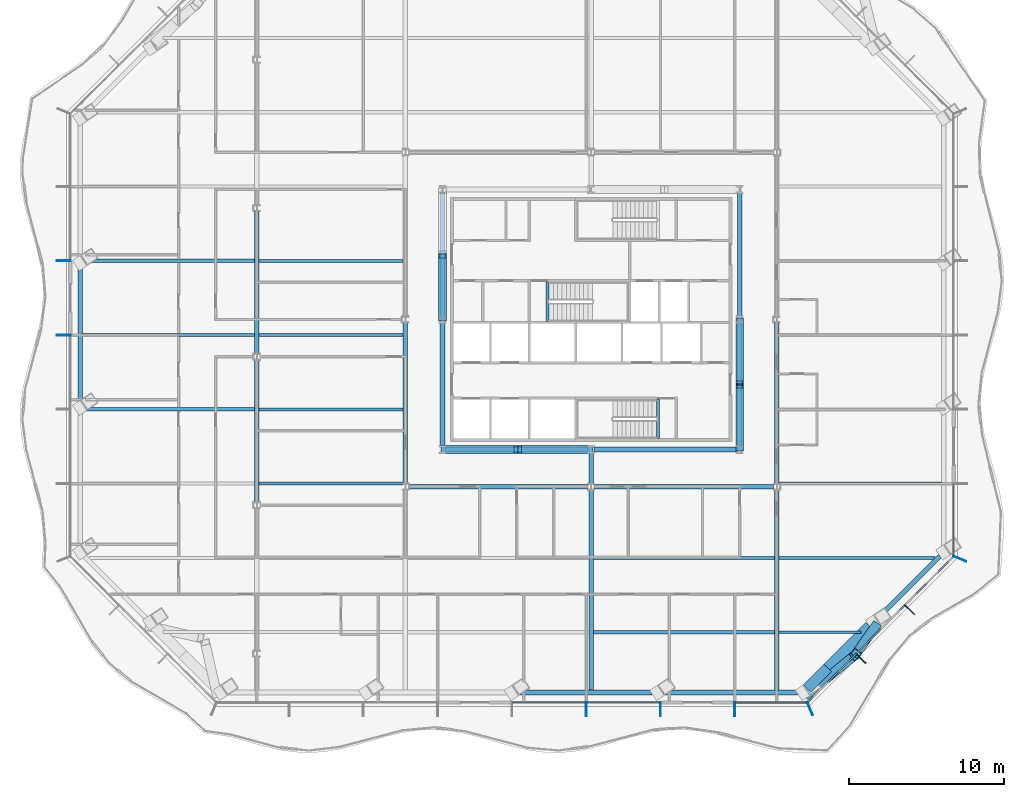
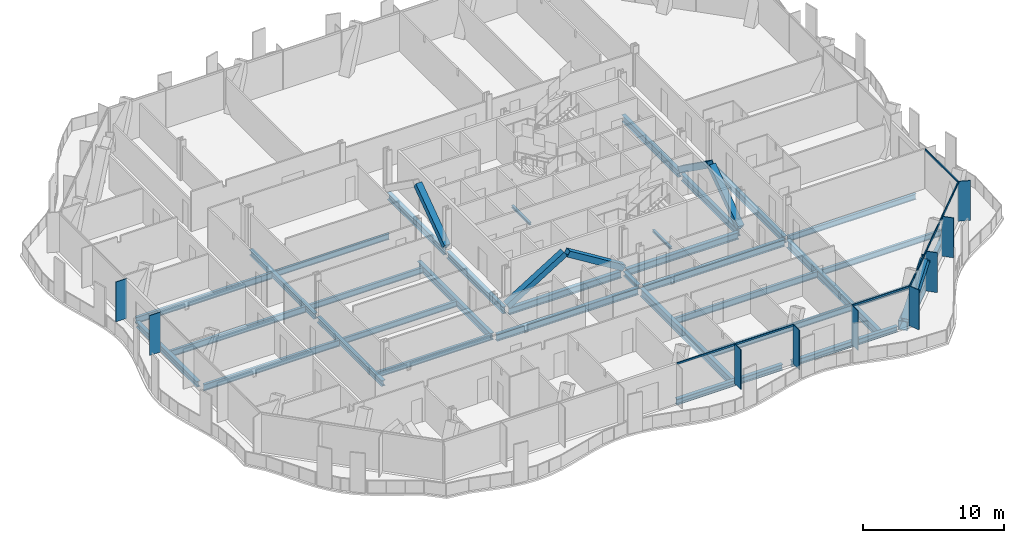
# One storey, part 2 of 19: 35 beams, 23 members, 4 elements without a shape of their own.
"""IFC4 building model written with IfcOpenShell, lengths in metres."""

from ifc_helpers import new_model, si_unit, direction, frame, origin, origin_2d, place, context, subcontext, project, spatial, rectangle, hollow_rectangle, i_section, extrude, material, material_profile, profile_set, type_object, element, aggregate, save


model = new_model("IFC4")

# Units and contexts
model_context = context("Model", 3, precision=1e-05, world=origin(), true_north=direction((0.0, 1.0)))
body_context = subcontext(model_context, "Body", "Model", "MODEL_VIEW")
ifc_project = project(units=[si_unit("LENGTHUNIT", "METRE"), si_unit("AREAUNIT", "SQUARE_METRE"), si_unit("VOLUMEUNIT", "CUBIC_METRE"), si_unit("PLANEANGLEUNIT", "RADIAN"), si_unit("MASSUNIT", "GRAM", prefix="KILO")], contexts=[model_context])

# Site, building, storey
site_placement = place(None, origin())
site = spatial("IfcSite", under=ifc_project, at=site_placement, CompositionType="ELEMENT")
building_placement = place(site_placement, origin())
building = spatial("IfcBuilding", under=site, at=building_placement, Name="Cairn Pilgrim Tower", CompositionType="ELEMENT")
storey_placement = place(building_placement, frame((0.0, 0.0, 97.800048828125)))
storey = spatial("IfcBuildingStorey", under=building, at=storey_placement, Name="L23", CompositionType="ELEMENT", Elevation=97.800048828125)

# Members
ifc_material_1 = material(Name="Structural steel S460M", Category="steel")
ifc_material_profile_1 = material_profile(ifc_material_1, hollow_rectangle(XDim=0.5, YDim=0.5, WallThickness=0.030029296875, at=origin_2d()), Name="BOX 500x500x30")
ifc_profile_set_1 = profile_set([ifc_material_profile_1], Name="Structural steel S460M")
member_type_1 = type_object("IfcMemberType", Name="BOX 500x500x30 BRACE", PredefinedType="BRACE", material=ifc_profile_set_1)
member_1_placement = place(storey_placement, frame((-2.356201171875, -6.0, 0.099853515625), z_axis=(0.850990224345, 0.0, 0.525181528683), x_axis=(0.0, 1.0, 0.0)))
element("IfcMember", 1, at=member_1_placement, inside=storey, type_object=member_type_1, Name="KB-1A", PredefinedType="BRACE", context=body_context, shape_type="SweptSolid", body=[
    extrude(hollow_rectangle(XDim=0.5, YDim=0.5, WallThickness=0.030029296875, at=origin_2d()), origin(), (0.0, 0.0, 1.0), 5.5263671875),
])
member_2_placement = place(storey_placement, frame((7.15625, -6.0, 0.099853515625), z_axis=(-0.851007515624, 0.0, 0.525153509321), x_axis=(0.0, -1.0, 0.0)))
element("IfcMember", 2, at=member_2_placement, inside=storey, type_object=member_type_1, Name="KB-1B", PredefinedType="BRACE", context=body_context, shape_type="SweptSolid", body=[
    extrude(hollow_rectangle(XDim=0.5, YDim=0.5, WallThickness=0.030029296875, at=origin_2d()), origin(), (0.0, 0.0, 1.0), 5.37646484375),
])
member_3_placement = place(storey_placement, frame((16.800048828125, -5.956298828125, 0.099853515625), z_axis=(0.0, 0.814175628242, 0.580618675532), x_axis=(-1.0, 0.0, 0.0)))
element("IfcMember", 3, at=member_3_placement, inside=storey, type_object=member_type_1, Name="KB-2A", PredefinedType="BRACE", context=body_context, shape_type="SweptSolid", body=[
    extrude(hollow_rectangle(XDim=0.5, YDim=0.5, WallThickness=0.030029296875, at=origin_2d()), origin(), (0.0, 0.0, 1.0), 4.99658203125),
])
member_4_placement = place(storey_placement, frame((16.800048828125, 2.356201171875, 0.099853515625), z_axis=(0.0, -0.814159155237, 0.580641774198), x_axis=(1.0, 0.0, 0.0)))
element("IfcMember", 4, at=member_4_placement, inside=storey, type_object=member_type_1, Name="KB-2B", PredefinedType="BRACE", context=body_context, shape_type="SweptSolid", body=[
    extrude(hollow_rectangle(XDim=0.5, YDim=0.5, WallThickness=0.030029296875, at=origin_2d()), origin(), (0.0, 0.0, 1.0), 4.996337890625),
])
member_5_placement = place(storey_placement, frame((-2.39990234375, 2.443603515625, 0.099853515625), z_axis=(0.0, 0.814175628242, 0.580618675532), x_axis=(-1.0, 0.0, 0.0)))
element("IfcMember", 5, at=member_5_placement, inside=storey, type_object=member_type_1, Name="KB-4B", PredefinedType="BRACE", context=body_context, shape_type="SweptSolid", body=[
    extrude(hollow_rectangle(XDim=0.5, YDim=0.5, WallThickness=0.030029296875, at=origin_2d()), origin(), (0.0, 0.0, 1.0), 4.99658203125),
])
ifc_material_profile_2 = material_profile(ifc_material_1, hollow_rectangle(XDim=0.60009765625, YDim=0.60009765625, WallThickness=0.034912109375, at=origin_2d()), Name="BOX 600x600x35")
ifc_profile_set_2 = profile_set([ifc_material_profile_2], Name="Structural steel S460M")
member_type_2 = type_object("IfcMemberType", Name="BOX 600x600x35 BRACE", PredefinedType="BRACE", material=ifc_profile_set_2)
member_6_placement = place(storey_placement, frame((21.158203125, -21.83935546875, 0.14990234375), z_axis=(0.63825367639, 0.52456231678, 0.563441763086), x_axis=(-0.634943586757, 0.772558503698, 0.0)))
element("IfcMember", 6, at=member_6_placement, inside=storey, type_object=member_type_2, Name="XB-SE1-SE2-1", PredefinedType="BRACE", context=body_context, shape_type="SweptSolid", body=[
    extrude(hollow_rectangle(XDim=0.60009765625, YDim=0.60009765625, WallThickness=0.034912109375, at=origin_2d()), origin(), (0.0, 0.0, 1.0), 4.72216796875),
])
member_7_placement = place(storey_placement, frame((25.58154296875, -17.416259765625, 0.14990234375), z_axis=(-0.361777631041, -0.518095152768, 0.775044746035), x_axis=(0.819892296649, -0.572517791772, 0.0)))
element("IfcMember", 7, at=member_7_placement, inside=storey, type_object=member_type_2, Name="XB-SE1-SE2-2", PredefinedType="BRACE", context=body_context, shape_type="SweptSolid", body=[
    extrude(hollow_rectangle(XDim=0.60009765625, YDim=0.60009765625, WallThickness=0.034912109375, at=origin_2d()), origin(), (0.0, 0.0, 1.0), 3.432861328125),
])

# Beams
ifc_material_2 = material(Name="Structural steel S355J2", Category="steel")
ifc_material_profile_3 = material_profile(ifc_material_2, hollow_rectangle(XDim=0.699951171875, YDim=0.800048828125, WallThickness=0.0400390625, at=origin_2d()), Name="BOX 700x800x40")
ifc_profile_set_3 = profile_set([ifc_material_profile_3], Name="Structural steel S355J2")
beam_type_1 = type_object("IfcBeamType", Name="BOX 700x800x40 RING GIRDER", PredefinedType="SPANDREL", material=ifc_profile_set_3)
beam_1_placement = place(storey_placement, frame((21.168701171875, -21.4541015625, -0.550048828125), z_axis=(0.707106781187, 0.707106781187, 0.0), x_axis=(-0.707106781187, 0.707106781187, 0.0)))
element("IfcBeam", 8, at=beam_1_placement, inside=storey, type_object=beam_type_1, Name="RG1-SE1-SE2-1", PredefinedType="SPANDREL", context=body_context, shape_type="SweptSolid", body=[
    extrude(hollow_rectangle(XDim=0.699951171875, YDim=0.800048828125, WallThickness=0.0400390625, at=origin_2d()), origin(), (0.0, 0.0, 1.0), 1.885498046875),
])
beam_2_placement = place(storey_placement, frame((22.501953125, -20.120849609375, -0.550048828125), z_axis=(0.707106781187, 0.707106781187, 0.0), x_axis=(-0.707106781187, 0.707106781187, 0.0)))
element("IfcBeam", 9, at=beam_2_placement, inside=storey, type_object=beam_type_1, Name="RG1-SE1-SE2-2", PredefinedType="SPANDREL", context=body_context, shape_type="SweptSolid", body=[
    extrude(hollow_rectangle(XDim=0.699951171875, YDim=0.800048828125, WallThickness=0.0400390625, at=origin_2d()), origin(), (0.0, 0.0, 1.0), 3.81005859375),
])

# Curtain wall, members
ifc_material_3 = material(Name="Aluminium alloy 6063-T6 bronze anodised with Bronze tinted laminated low-E glass 8+16+8.8", Category="aluminium")
curtain_wall_type_1 = type_object("IfcCurtainWallType", Name="TOWER STICK CURTAIN WALL NS", PredefinedType="NOTDEFINED", material=ifc_material_3)
curtain_wall_1_placement = place(storey_placement, origin())
curtain_wall_1 = element("IfcCurtainWall", 10, at=curtain_wall_1_placement, inside=storey, type_object=curtain_wall_type_1, Name="Tower Stick Curtain Wall Ns S", PredefinedType="NOTDEFINED")
ifc_material_4 = material(Name="Aluminium alloy 6063-T6 bronze anodised", Category="aluminium")
ifc_material_profile_4 = material_profile(ifc_material_4, rectangle(XDim=0.89990234375, YDim=0.06005859375, at=origin_2d()), Name="FIN MULLION 60x900 BRONZE")
ifc_profile_set_4 = profile_set([ifc_material_profile_4], Name="Aluminium alloy 6063-T6 bronze anodised")
member_type_3 = type_object("IfcMemberType", Name="FIN MULLION 60x900 BRONZE", PredefinedType="MULLION", material=ifc_profile_set_4)
member_8_placement = place(storey_placement, frame((6.886962890625, -22.778564453125, 0.0), z_axis=(0.0, 0.0, 1.0), x_axis=(0.0, -1.0, 0.0)))
member_8 = element("IfcMember", 11, at=member_8_placement, type_object=member_type_3, Name="Fin mullion S6", PredefinedType="MULLION", context=body_context, shape_type="SweptSolid", body=[
    extrude(rectangle(XDim=0.89990234375, YDim=0.06005859375, at=origin_2d()), origin(), (0.0, 0.0, 1.0), 3.449951171875),
])
member_9_placement = place(storey_placement, frame((11.68701171875, -22.778564453125, 0.0), z_axis=(0.0, 0.0, 1.0), x_axis=(0.0, -1.0, 0.0)))
member_9 = element("IfcMember", 12, at=member_9_placement, type_object=member_type_3, Name="Fin mullion S7", PredefinedType="MULLION", context=body_context, shape_type="SweptSolid", body=[
    extrude(rectangle(XDim=0.89990234375, YDim=0.06005859375, at=origin_2d()), origin(), (0.0, 0.0, 1.0), 3.449951171875),
])
member_10_placement = place(storey_placement, frame((16.487060546875, -22.778564453125, 0.0), z_axis=(0.0, 0.0, 1.0), x_axis=(0.0, -1.0, 0.0)))
member_10 = element("IfcMember", 13, at=member_10_placement, type_object=member_type_3, Name="Fin mullion S8", PredefinedType="MULLION", context=body_context, shape_type="SweptSolid", body=[
    extrude(rectangle(XDim=0.89990234375, YDim=0.06005859375, at=origin_2d()), origin(), (0.0, 0.0, 1.0), 3.449951171875),
])

curtain_wall_type_2 = type_object("IfcCurtainWallType", Name="CHAMFER CORNER CURTAIN WALL", PredefinedType="NOTDEFINED", material=ifc_material_3)
curtain_wall_2_placement = place(storey_placement, origin())
curtain_wall_2 = element("IfcCurtainWall", 14, at=curtain_wall_2_placement, inside=storey, type_object=curtain_wall_type_2, Name="Chamfer Corner Curtain Wall SE", PredefinedType="NOTDEFINED")
member_11_placement = place(storey_placement, frame((21.34423828125, -22.74658203125, 0.0), z_axis=(0.0, 0.0, 1.0), x_axis=(0.382683432365, -0.923879532511, 0.0)))
member_11 = element("IfcMember", 15, at=member_11_placement, type_object=member_type_3, Name="Fin mullion SE1", PredefinedType="MULLION", context=body_context, shape_type="SweptSolid", body=[
    extrude(rectangle(XDim=0.89990234375, YDim=0.06005859375, at=origin_2d()), origin(), (0.0, 0.0, 1.0), 3.449951171875),
])
member_12_placement = place(storey_placement, frame((24.631591796875, -19.50439453125, 0.0), z_axis=(0.0, 0.0, 1.0), x_axis=(0.707106781187, -0.707106781187, 0.0)))
member_12 = element("IfcMember", 16, at=member_12_placement, type_object=member_type_3, Name="Fin mullion SE2", PredefinedType="MULLION", context=body_context, shape_type="SweptSolid", body=[
    extrude(rectangle(XDim=0.89990234375, YDim=0.06005859375, at=origin_2d()), origin(), (0.0, 0.0, 1.0), 3.449951171875),
])
member_13_placement = place(storey_placement, frame((27.782958984375, -16.353271484375, 0.0), z_axis=(0.0, 0.0, 1.0), x_axis=(0.707106781187, -0.707106781187, 0.0)))
member_13 = element("IfcMember", 17, at=member_13_placement, type_object=member_type_3, Name="Fin mullion SE3", PredefinedType="MULLION", context=body_context, shape_type="SweptSolid", body=[
    extrude(rectangle(XDim=0.89990234375, YDim=0.06005859375, at=origin_2d()), origin(), (0.0, 0.0, 1.0), 3.449951171875),
])

# Curtain wall, member
curtain_wall_type_3 = type_object("IfcCurtainWallType", Name="TOWER STICK CURTAIN WALL EW", PredefinedType="NOTDEFINED", material=ifc_material_3)
curtain_wall_3_placement = place(storey_placement, origin())
curtain_wall_3 = element("IfcCurtainWall", 18, at=curtain_wall_3_placement, inside=storey, type_object=curtain_wall_type_3, Name="Tower Stick Curtain Wall Ew E", PredefinedType="NOTDEFINED")
member_14_placement = place(storey_placement, frame((31.025146484375, -13.06591796875, 0.0), z_axis=(0.0, 0.0, 1.0), x_axis=(0.923879532511, -0.382683432365, 0.0)))
member_14 = element("IfcMember", 19, at=member_14_placement, type_object=member_type_3, Name="Fin mullion E1", PredefinedType="MULLION", context=body_context, shape_type="SweptSolid", body=[
    extrude(rectangle(XDim=0.89990234375, YDim=0.06005859375, at=origin_2d()), origin(), (0.0, 0.0, 1.0), 3.449951171875),
])

# Curtain wall, members
curtain_wall_4_placement = place(storey_placement, origin())
curtain_wall_4 = element("IfcCurtainWall", 20, at=curtain_wall_4_placement, inside=storey, type_object=curtain_wall_type_3, Name="Tower Stick Curtain Wall Ew W", PredefinedType="NOTDEFINED")
member_15_placement = place(storey_placement, frame((-26.8828125, 6.19140625, 0.0), z_axis=(0.0, 0.0, 1.0), x_axis=(-1.0, 0.0, 0.0)))
member_15 = element("IfcMember", 21, at=member_15_placement, type_object=member_type_3, Name="Fin mullion W3", PredefinedType="MULLION", context=body_context, shape_type="SweptSolid", body=[
    extrude(rectangle(XDim=0.89990234375, YDim=0.06005859375, at=origin_2d()), origin(), (0.0, 0.0, 1.0), 3.449951171875),
])
member_16_placement = place(storey_placement, frame((-26.8828125, 1.391357421875, 0.0), z_axis=(0.0, 0.0, 1.0), x_axis=(-1.0, 0.0, 0.0)))
member_16 = element("IfcMember", 22, at=member_16_placement, type_object=member_type_3, Name="Fin mullion W4", PredefinedType="MULLION", context=body_context, shape_type="SweptSolid", body=[
    extrude(rectangle(XDim=0.89990234375, YDim=0.06005859375, at=origin_2d()), origin(), (0.0, 0.0, 1.0), 3.449951171875),
])
aggregate(curtain_wall_4, [member_15, member_16])

# Beams
ifc_material_profile_5 = material_profile(ifc_material_2, i_section(OverallWidth=0.300048828125, OverallDepth=0.39990234375, WebThickness=0.013427734375, FlangeThickness=0.02392578125, FilletRadius=0.027099609375, at=origin_2d()), Name="HEB 400")
ifc_profile_set_5 = profile_set([ifc_material_profile_5], Name="Structural steel S355J2")
beam_type_2 = type_object("IfcBeamType", Name="HEB 400 GIRDER", PredefinedType="BEAM", material=ifc_profile_set_5)
beam_3_placement = place(storey_placement, frame((7.199951171875, -8.195556640625, -0.35009765625), z_axis=(0.0, 1.0, 0.0), x_axis=(-1.0, 0.0, 0.0)))
element("IfcBeam", 23, at=beam_3_placement, inside=storey, type_object=beam_type_2, Name="PG3-E1", PredefinedType="BEAM", context=body_context, shape_type="SweptSolid", body=[
    extrude(i_section(OverallWidth=0.300048828125, OverallDepth=0.39990234375, WebThickness=0.013427734375, FlangeThickness=0.02392578125, FilletRadius=0.027099609375, at=origin_2d()), origin(), (0.0, 0.0, 1.0), 1.97705078125),
])
ifc_material_profile_6 = material_profile(ifc_material_2, i_section(OverallWidth=0.300048828125, OverallDepth=0.5, WebThickness=0.014404296875, FlangeThickness=0.028076171875, FilletRadius=0.027099609375, at=origin_2d()), Name="HEB 500")
ifc_profile_set_6 = profile_set([ifc_material_profile_6], Name="Structural steel S355J2")
beam_type_3 = type_object("IfcBeamType", Name="HEB 500 GIRDER", PredefinedType="BEAM", material=ifc_profile_set_6)
for number, where, z_axis, x_axis, name in (
    (24, (-14.39990234375, -9.3955078125, -0.400146484375), (0.0, 1.0, 0.0), (-1.0, 0.0, 0.0), "PG1-2"),
    (25, (-14.39990234375, 0.20458984375, -0.400146484375), (0.0, 1.0, 0.0), (-1.0, 0.0, 0.0), "PG1-3"),
):
    element("IfcBeam", number, at=place(storey_placement, frame(where, z_axis=z_axis, x_axis=x_axis)), inside=storey, type_object=beam_type_3, Name=name, PredefinedType="BEAM", context=body_context, shape_type="SweptSolid", body=[
        extrude(i_section(OverallWidth=0.300048828125, OverallDepth=0.5, WebThickness=0.014404296875, FlangeThickness=0.028076171875, FilletRadius=0.027099609375, at=origin_2d()), origin(), (0.0, 0.0, 1.0), 9.19091796875),
    ])
ifc_material_profile_7 = material_profile(ifc_material_2, i_section(OverallWidth=0.300048828125, OverallDepth=0.5, WebThickness=0.014404296875, FlangeThickness=0.028076171875, FilletRadius=0.027099609375, at=origin_2d()), Name="HEB 500")
ifc_profile_set_7 = profile_set([ifc_material_profile_7], Name="Structural steel S355J2")
beam_type_4 = type_object("IfcBeamType", Name="HEB 500 RING GIRDER", PredefinedType="SPANDREL", material=ifc_profile_set_7)
for number, where, z_axis, x_axis, name in (
    (26, (2.447021484375, -21.70849609375, -0.400146484375), (1.0, 0.0, 0.0), (0.0, 1.0, 0.0), "RG1-S3-S4"),
    (27, (11.860595703125, -21.70849609375, -0.400146484375), (1.0, 0.0, 0.0), (0.0, 1.0, 0.0), "RG1-S4-SE1"),
):
    element("IfcBeam", number, at=place(storey_placement, frame(where, z_axis=z_axis, x_axis=x_axis)), inside=storey, type_object=beam_type_4, Name=name, PredefinedType="SPANDREL", context=body_context, shape_type="SweptSolid", body=[
        extrude(i_section(OverallWidth=0.300048828125, OverallDepth=0.5, WebThickness=0.014404296875, FlangeThickness=0.028076171875, FilletRadius=0.027099609375, at=origin_2d()), origin(), (0.0, 0.0, 1.0), 8.693603515625),
    ])
beam_4_placement = place(storey_placement, frame((25.705078125, -16.917724609375, -0.400146484375), z_axis=(0.707106781187, 0.707106781187, 0.0), x_axis=(-0.707106781187, 0.707106781187, 0.0)))
element("IfcBeam", 28, at=beam_4_placement, inside=storey, type_object=beam_type_4, Name="RG1-SE2-E1", PredefinedType="SPANDREL", context=body_context, shape_type="SweptSolid", body=[
    extrude(i_section(OverallWidth=0.300048828125, OverallDepth=0.5, WebThickness=0.014404296875, FlangeThickness=0.028076171875, FilletRadius=0.027099609375, at=origin_2d()), origin(), (0.0, 0.0, 1.0), 5.695556640625),
])
beam_5_placement = place(storey_placement, frame((-25.81298828125, 5.70703125, -0.400146484375), z_axis=(0.0, -1.0, 0.0), x_axis=(1.0, 0.0, 0.0)))
element("IfcBeam", 29, at=beam_5_placement, inside=storey, type_object=beam_type_4, Name="RG1-W2-W3", PredefinedType="SPANDREL", context=body_context, shape_type="SweptSolid", body=[
    extrude(i_section(OverallWidth=0.300048828125, OverallDepth=0.5, WebThickness=0.014404296875, FlangeThickness=0.028076171875, FilletRadius=0.027099609375, at=origin_2d()), origin(), (0.0, 0.0, 1.0), 8.63134765625),
])
ifc_material_profile_8 = material_profile(ifc_material_2, i_section(OverallWidth=0.300048828125, OverallDepth=0.60009765625, WebThickness=0.015380859375, FlangeThickness=0.030029296875, FilletRadius=0.027099609375, at=origin_2d()), Name="HEB 600")
ifc_profile_set_8 = profile_set([ifc_material_profile_8], Name="Structural steel S355J2")
beam_type_5 = type_object("IfcBeamType", Name="HEB 600 CORE BEAM", PredefinedType="BEAM", material=ifc_profile_set_8)
beam_6_placement = place(storey_placement, frame((-2.203369140625, -6.0, -0.449951171875), z_axis=(1.0, 0.0, 0.0), x_axis=(0.0, 1.0, 0.0)))
element("IfcBeam", 30, at=beam_6_placement, inside=storey, type_object=beam_type_5, Name="CB-1", PredefinedType="BEAM", context=body_context, shape_type="SweptSolid", body=[
    extrude(i_section(OverallWidth=0.300048828125, OverallDepth=0.60009765625, WebThickness=0.015380859375, FlangeThickness=0.030029296875, FilletRadius=0.027099609375, at=origin_2d()), origin(), (0.0, 0.0, 1.0), 9.206787109375),
])
beam_7_placement = place(storey_placement, frame((7.396728515625, -6.0, -0.449951171875), z_axis=(1.0, 0.0, 0.0), x_axis=(0.0, 1.0, 0.0)))
element("IfcBeam", 31, at=beam_7_placement, inside=storey, type_object=beam_type_5, Name="CB-2", PredefinedType="BEAM", context=body_context, shape_type="SweptSolid", body=[
    extrude(i_section(OverallWidth=0.300048828125, OverallDepth=0.60009765625, WebThickness=0.015380859375, FlangeThickness=0.030029296875, FilletRadius=0.027099609375, at=origin_2d()), origin(), (0.0, 0.0, 1.0), 9.20654296875),
])
for number, where, z_axis, x_axis, name in (
    (32, (16.800048828125, -5.803466796875, -0.449951171875), (0.0, 1.0, 0.0), (-1.0, 0.0, 0.0), "CB-3"),
    (33, (16.800048828125, 2.5966796875, -0.449951171875), (0.0, 1.0, 0.0), (-1.0, 0.0, 0.0), "CB-4"),
    (34, (-2.39990234375, 10.603515625, -0.449951171875), (0.0, -1.0, 0.0), (1.0, 0.0, 0.0), "CB-7"),
    (35, (-2.39990234375, 2.203369140625, -0.449951171875), (0.0, -1.0, 0.0), (1.0, 0.0, 0.0), "CB-8"),
):
    element("IfcBeam", number, at=place(storey_placement, frame(where, z_axis=z_axis, x_axis=x_axis)), inside=storey, type_object=beam_type_5, Name=name, PredefinedType="BEAM", context=body_context, shape_type="SweptSolid", body=[
        extrude(i_section(OverallWidth=0.300048828125, OverallDepth=0.60009765625, WebThickness=0.015380859375, FlangeThickness=0.030029296875, FilletRadius=0.027099609375, at=origin_2d()), origin(), (0.0, 0.0, 1.0), 8.0068359375),
    ])
ifc_material_profile_9 = material_profile(ifc_material_2, i_section(OverallWidth=0.300048828125, OverallDepth=0.60009765625, WebThickness=0.015380859375, FlangeThickness=0.030029296875, FilletRadius=0.027099609375, at=origin_2d()), Name="HEB 600")
ifc_profile_set_9 = profile_set([ifc_material_profile_9], Name="Structural steel S355J2")
beam_type_6 = type_object("IfcBeamType", Name="HEB 600 GIRDER", PredefinedType="BEAM", material=ifc_profile_set_9)
for number, where, z_axis, x_axis, name in (
    (36, (-4.800048828125, -8.195556640625, -0.449951171875), (0.0, 1.0, 0.0), (-1.0, 0.0, 0.0), "PG2-2"),
    (37, (19.199951171875, -8.195556640625, -0.449951171875), (0.0, 1.0, 0.0), (-1.0, 0.0, 0.0), "PG4-2"),
):
    element("IfcBeam", number, at=place(storey_placement, frame(where, z_axis=z_axis, x_axis=x_axis)), inside=storey, type_object=beam_type_6, Name=name, PredefinedType="BEAM", context=body_context, shape_type="SweptSolid", body=[
        extrude(i_section(OverallWidth=0.300048828125, OverallDepth=0.60009765625, WebThickness=0.015380859375, FlangeThickness=0.030029296875, FilletRadius=0.027099609375, at=origin_2d()), origin(), (0.0, 0.0, 1.0), 10.39111328125),
    ])
ifc_material_profile_10 = material_profile(ifc_material_2, i_section(OverallWidth=0.300048828125, OverallDepth=0.60009765625, WebThickness=0.015380859375, FlangeThickness=0.030029296875, FilletRadius=0.027099609375, at=origin_2d()), Name="HEB 600")
ifc_profile_set_10 = profile_set([ifc_material_profile_10], Name="Structural steel S355J2")
beam_type_7 = type_object("IfcBeamType", Name="HEB 600 INNER GIRDER", PredefinedType="BEAM", material=ifc_profile_set_10)
for number, where, z_axis, x_axis, name in (
    (38, (-4.595458984375, -8.39990234375, -0.449951171875), (1.0, 0.0, 0.0), (0.0, 1.0, 0.0), "IG1-1"),
    (39, (7.404541015625, -8.39990234375, -0.449951171875), (1.0, 0.0, 0.0), (0.0, 1.0, 0.0), "IG1-2"),
):
    element("IfcBeam", number, at=place(storey_placement, frame(where, z_axis=z_axis, x_axis=x_axis)), inside=storey, type_object=beam_type_7, Name=name, PredefinedType="BEAM", context=body_context, shape_type="SweptSolid", body=[
        extrude(i_section(OverallWidth=0.300048828125, OverallDepth=0.60009765625, WebThickness=0.015380859375, FlangeThickness=0.030029296875, FilletRadius=0.027099609375, at=origin_2d()), origin(), (0.0, 0.0, 1.0), 11.591064453125),
    ])
ifc_material_profile_11 = material_profile(ifc_material_2, i_section(OverallWidth=0.300048828125, OverallDepth=0.699951171875, WebThickness=0.01708984375, FlangeThickness=0.031982421875, FilletRadius=0.027099609375, at=origin_2d()), Name="HEB 700")
ifc_profile_set_11 = profile_set([ifc_material_profile_11], Name="Structural steel S355J2")
beam_type_8 = type_object("IfcBeamType", Name="HEB 700 GIRDER", PredefinedType="BEAM", material=ifc_profile_set_11)
for number, where, z_axis, x_axis, name in (
    (40, (7.199951171875, -21.588623046875, -0.5), (0.0, 1.0, 0.0), (-1.0, 0.0, 0.0), "PG3-1"),
    (41, (19.199951171875, -21.588623046875, -0.5), (0.0, 1.0, 0.0), (-1.0, 0.0, 0.0), "PG4-1"),
):
    element("IfcBeam", number, at=place(storey_placement, frame(where, z_axis=z_axis, x_axis=x_axis)), inside=storey, type_object=beam_type_8, Name=name, PredefinedType="BEAM", context=body_context, shape_type="SweptSolid", body=[
        extrude(i_section(OverallWidth=0.300048828125, OverallDepth=0.699951171875, WebThickness=0.01708984375, FlangeThickness=0.031982421875, FilletRadius=0.027099609375, at=origin_2d()), origin(), (0.0, 0.0, 1.0), 12.984130859375),
    ])
ifc_material_profile_12 = material_profile(ifc_material_2, i_section(OverallWidth=0.169921875, OverallDepth=0.360107421875, WebThickness=0.008056640625, FlangeThickness=0.0126953125, FilletRadius=0.01806640625, at=origin_2d()), Name="IPE 360")
ifc_profile_set_12 = profile_set([ifc_material_profile_12], Name="Structural steel S355J2")
beam_type_9 = type_object("IfcBeamType", Name="IPE 360 SECONDARY BEAM", PredefinedType="JOIST", material=ifc_profile_set_12)
beam_8_placement = place(storey_placement, frame((19.35009765625, -17.80859375, -0.330078125), z_axis=(1.0, 0.0, 0.0), x_axis=(0.0, 1.0, 0.0)))
element("IfcBeam", 42, at=beam_8_placement, inside=storey, type_object=beam_type_9, Name="SB1-5", PredefinedType="JOIST", context=body_context, shape_type="SweptSolid", body=[
    extrude(i_section(OverallWidth=0.169921875, OverallDepth=0.360107421875, WebThickness=0.008056640625, FlangeThickness=0.0126953125, FilletRadius=0.01806640625, at=origin_2d()), origin(), (0.0, 0.0, 1.0), 5.281982421875),
])
ifc_material_profile_13 = material_profile(ifc_material_2, i_section(OverallWidth=0.199951171875, OverallDepth=0.5, WebThickness=0.01025390625, FlangeThickness=0.01611328125, FilletRadius=0.02099609375, at=origin_2d()), Name="IPE 500")
ifc_profile_set_13 = profile_set([ifc_material_profile_13], Name="Structural steel S355J2")
beam_type_10 = type_object("IfcBeamType", Name="IPE 500 SECONDARY BEAM", PredefinedType="JOIST", material=ifc_profile_set_13)
beam_9_placement = place(storey_placement, frame((19.35009765625, -13.008544921875, -0.400146484375), z_axis=(1.0, 0.0, 0.0), x_axis=(0.0, 1.0, 0.0)))
element("IfcBeam", 43, at=beam_9_placement, inside=storey, type_object=beam_type_10, Name="SB2-5", PredefinedType="JOIST", context=body_context, shape_type="SweptSolid", body=[
    extrude(i_section(OverallWidth=0.199951171875, OverallDepth=0.5, WebThickness=0.01025390625, FlangeThickness=0.01611328125, FilletRadius=0.02099609375, at=origin_2d()), origin(), (0.0, 0.0, 1.0), 10.08203125),
])
beam_10_placement = place(storey_placement, frame((-14.25, -8.20849609375, -0.400146484375), z_axis=(1.0, 0.0, 0.0), x_axis=(0.0, 1.0, 0.0)))
element("IfcBeam", 44, at=beam_10_placement, inside=storey, type_object=beam_type_10, Name="SB3-2", PredefinedType="JOIST", context=body_context, shape_type="SweptSolid", body=[
    extrude(i_section(OverallWidth=0.199951171875, OverallDepth=0.5, WebThickness=0.01025390625, FlangeThickness=0.01611328125, FilletRadius=0.02099609375, at=origin_2d()), origin(), (0.0, 0.0, 1.0), 9.300048828125),
])
beam_11_placement = place(storey_placement, frame((19.35009765625, -8.20849609375, -0.400146484375), z_axis=(1.0, 0.0, 0.0), x_axis=(0.0, 1.0, 0.0)))
element("IfcBeam", 45, at=beam_11_placement, inside=storey, type_object=beam_type_10, Name="SB3-3", PredefinedType="JOIST", context=body_context, shape_type="SweptSolid", body=[
    extrude(i_section(OverallWidth=0.199951171875, OverallDepth=0.5, WebThickness=0.01025390625, FlangeThickness=0.01611328125, FilletRadius=0.02099609375, at=origin_2d()), origin(), (0.0, 0.0, 1.0), 10.51708984375),
])
for number, where, z_axis, x_axis, name in (
    (46, (-14.25, -3.40869140625, -0.400146484375), (1.0, 0.0, 0.0), (0.0, 1.0, 0.0), "SB4-2"),
    (47, (-14.25, 1.391357421875, -0.400146484375), (1.0, 0.0, 0.0), (0.0, 1.0, 0.0), "SB5-2"),
    (48, (-14.25, 6.19140625, -0.400146484375), (1.0, 0.0, 0.0), (0.0, 1.0, 0.0), "SB6-2"),
):
    element("IfcBeam", number, at=place(storey_placement, frame(where, z_axis=z_axis, x_axis=x_axis)), inside=storey, type_object=beam_type_10, Name=name, PredefinedType="JOIST", context=body_context, shape_type="SweptSolid", body=[
        extrude(i_section(OverallWidth=0.199951171875, OverallDepth=0.5, WebThickness=0.01025390625, FlangeThickness=0.01611328125, FilletRadius=0.02099609375, at=origin_2d()), origin(), (0.0, 0.0, 1.0), 9.300048828125),
    ])
ifc_material_profile_14 = material_profile(ifc_material_2, i_section(OverallWidth=0.2099609375, OverallDepth=0.550048828125, WebThickness=0.010986328125, FlangeThickness=0.01708984375, FilletRadius=0.02392578125, at=origin_2d()), Name="IPE 550")
ifc_profile_set_14 = profile_set([ifc_material_profile_14], Name="Structural steel S355J2")
beam_type_11 = type_object("IfcBeamType", Name="IPE 550 SECONDARY BEAM", PredefinedType="JOIST", material=ifc_profile_set_14)
for number, where, z_axis, x_axis, name in (
    (49, (7.35009765625, -17.80859375, -0.425048828125), (1.0, 0.0, 0.0), (0.0, 1.0, 0.0), "SB1-4"),
    (50, (7.35009765625, -13.008544921875, -0.425048828125), (1.0, 0.0, 0.0), (0.0, 1.0, 0.0), "SB2-4"),
):
    element("IfcBeam", number, at=place(storey_placement, frame(where, z_axis=z_axis, x_axis=x_axis)), inside=storey, type_object=beam_type_11, Name=name, PredefinedType="JOIST", context=body_context, shape_type="SweptSolid", body=[
        extrude(i_section(OverallWidth=0.2099609375, OverallDepth=0.550048828125, WebThickness=0.010986328125, FlangeThickness=0.01708984375, FilletRadius=0.02392578125, at=origin_2d()), origin(), (0.0, 0.0, 1.0), 11.699951171875),
    ])
for number, where, z_axis, x_axis, name in (
    (51, (-25.69287109375, -3.40869140625, -0.425048828125), (1.0, 0.0, 0.0), (0.0, 1.0, 0.0), "SB4-1"),
    (52, (-25.69287109375, 1.391357421875, -0.425048828125), (1.0, 0.0, 0.0), (0.0, 1.0, 0.0), "SB5-1"),
    (53, (-25.69287109375, 6.19140625, -0.425048828125), (1.0, 0.0, 0.0), (0.0, 1.0, 0.0), "SB6-1"),
):
    element("IfcBeam", number, at=place(storey_placement, frame(where, z_axis=z_axis, x_axis=x_axis)), inside=storey, type_object=beam_type_11, Name=name, PredefinedType="JOIST", context=body_context, shape_type="SweptSolid", body=[
        extrude(i_section(OverallWidth=0.2099609375, OverallDepth=0.550048828125, WebThickness=0.010986328125, FlangeThickness=0.01708984375, FilletRadius=0.02392578125, at=origin_2d()), origin(), (0.0, 0.0, 1.0), 11.142822265625),
    ])
ifc_material_profile_15 = material_profile(ifc_material_2, i_section(OverallWidth=0.199951171875, OverallDepth=0.199951171875, WebThickness=0.009033203125, FlangeThickness=0.014892578125, FilletRadius=0.01806640625, at=origin_2d()), Name="HE 200 B")
ifc_profile_set_15 = profile_set([ifc_material_profile_15], Name="Structural steel S355J2")
beam_type_12 = type_object("IfcBeamType", Name="STAIR LANDING BEAM HE 200 B", PredefinedType="BEAM", material=ifc_profile_set_15)
beam_12_placement = place(storey_placement, frame((11.5244140625, -2.77490234375, -0.25), z_axis=(0.0, -1.0, 0.0), x_axis=(1.0, 0.0, 0.0)))
element("IfcBeam", 54, at=beam_12_placement, inside=storey, type_object=beam_type_12, Name="STAIR LANDING BEAM LD-HE200B", PredefinedType="BEAM", context=body_context, shape_type="SweptSolid", body=[
    extrude(i_section(OverallWidth=0.199951171875, OverallDepth=0.199951171875, WebThickness=0.009033203125, FlangeThickness=0.014892578125, FilletRadius=0.01806640625, at=origin_2d()), origin(), (0.0, 0.0, 1.0), 2.525146484375),
])
beam_13_placement = place(storey_placement, frame((4.37548828125, 2.27490234375, -0.25), z_axis=(0.0, 1.0, 0.0), x_axis=(-1.0, 0.0, 0.0)))
element("IfcBeam", 55, at=beam_13_placement, inside=storey, type_object=beam_type_12, Name="STAIR LANDING BEAM LD-HE200B", PredefinedType="BEAM", context=body_context, shape_type="SweptSolid", body=[
    extrude(i_section(OverallWidth=0.199951171875, OverallDepth=0.199951171875, WebThickness=0.009033203125, FlangeThickness=0.014892578125, FilletRadius=0.01806640625, at=origin_2d()), origin(), (0.0, 0.0, 1.0), 2.550048828125),
])

# Member
ifc_material_profile_16 = material_profile(ifc_material_4, rectangle(XDim=0.080078125, YDim=0.14990234375, at=origin_2d()), Name="TRANSOM 80x150 BRONZE")
ifc_profile_set_16 = profile_set([ifc_material_profile_16], Name="Aluminium alloy 6063-T6 bronze anodised")
member_type_4 = type_object("IfcMemberType", Name="TRANSOM 80x150 BRONZE", PredefinedType="USERDEFINED", material=ifc_profile_set_16)
member_17_placement = place(storey_placement, frame((2.1171875, -22.358642578125, 3.375), z_axis=(1.0, 0.0, 0.0), x_axis=(0.0, 1.0, 0.0)))
member_17 = element("IfcMember", 56, at=member_17_placement, type_object=member_type_4, Name="Transom S5", ObjectType="TRANSOM", PredefinedType="USERDEFINED", context=body_context, shape_type="SweptSolid", body=[
    extrude(rectangle(XDim=0.080078125, YDim=0.14990234375, at=origin_2d()), origin(), (0.0, 0.0, 1.0), 4.739990234375),
])

member_18_placement = place(storey_placement, frame((6.9169921875, -22.358642578125, 3.375), z_axis=(1.0, 0.0, 0.0), x_axis=(0.0, 1.0, 0.0)))
member_18 = element("IfcMember", 57, at=member_18_placement, type_object=member_type_4, Name="Transom S6", ObjectType="TRANSOM", PredefinedType="USERDEFINED", context=body_context, shape_type="SweptSolid", body=[
    extrude(rectangle(XDim=0.080078125, YDim=0.14990234375, at=origin_2d()), origin(), (0.0, 0.0, 1.0), 4.739990234375),
])

member_19_placement = place(storey_placement, frame((16.51708984375, -22.358642578125, 3.375), z_axis=(1.0, 0.0, 0.0), x_axis=(0.0, 1.0, 0.0)))
member_19 = element("IfcMember", 58, at=member_19_placement, type_object=member_type_4, Name="Transom S8", ObjectType="TRANSOM", PredefinedType="USERDEFINED", context=body_context, shape_type="SweptSolid", body=[
    extrude(rectangle(XDim=0.080078125, YDim=0.14990234375, at=origin_2d()), origin(), (0.0, 0.0, 1.0), 4.62646484375),
])

aggregate(curtain_wall_1, [member_8, member_9, member_10, member_17, member_18, member_19])

member_20_placement = place(storey_placement, frame((21.2119140625, -22.330322265625, 3.375), z_axis=(0.707106781187, 0.707106781187, 0.0), x_axis=(-0.707106781187, 0.707106781187, 0.0)))
member_20 = element("IfcMember", 59, at=member_20_placement, type_object=member_type_4, Name="Transom SE1", ObjectType="TRANSOM", PredefinedType="USERDEFINED", context=body_context, shape_type="SweptSolid", body=[
    extrude(rectangle(XDim=0.080078125, YDim=0.14990234375, at=origin_2d()), origin(), (0.0, 0.0, 1.0), 4.38623046875),
])

member_21_placement = place(storey_placement, frame((24.35595703125, -19.186279296875, 3.375), z_axis=(0.707079015032, 0.707134546251, 0.0), x_axis=(-0.707134546251, 0.707079015032, 0.0)))
member_21 = element("IfcMember", 60, at=member_21_placement, type_object=member_type_4, Name="Transom SE2", ObjectType="TRANSOM", PredefinedType="USERDEFINED", context=body_context, shape_type="SweptSolid", body=[
    extrude(rectangle(XDim=0.080078125, YDim=0.14990234375, at=origin_2d()), origin(), (0.0, 0.0, 1.0), 4.396484375),
])

member_22_placement = place(storey_placement, frame((27.507080078125, -16.03515625, 3.375), z_axis=(0.707106781187, 0.707106781187, 0.0), x_axis=(-0.707106781187, 0.707106781187, 0.0)))
member_22 = element("IfcMember", 61, at=member_22_placement, type_object=member_type_4, Name="Transom SE3", ObjectType="TRANSOM", PredefinedType="USERDEFINED", context=body_context, shape_type="SweptSolid", body=[
    extrude(rectangle(XDim=0.080078125, YDim=0.14990234375, at=origin_2d()), origin(), (0.0, 0.0, 1.0), 4.38671875),
])

aggregate(curtain_wall_2, [member_11, member_12, member_13, member_20, member_21, member_22])

member_23_placement = place(storey_placement, frame((30.636962890625, -12.864990234375, 3.375), z_axis=(0.0, 1.0, 0.0), x_axis=(-1.0, 0.0, 0.0)))
member_23 = element("IfcMember", 62, at=member_23_placement, type_object=member_type_4, Name="Transom E1", ObjectType="TRANSOM", PredefinedType="USERDEFINED", context=body_context, shape_type="SweptSolid", body=[
    extrude(rectangle(XDim=0.080078125, YDim=0.14990234375, at=origin_2d()), origin(), (0.0, 0.0, 1.0), 4.62646484375),
])

aggregate(curtain_wall_3, [member_14, member_23])

save(model, "model.ifc")
